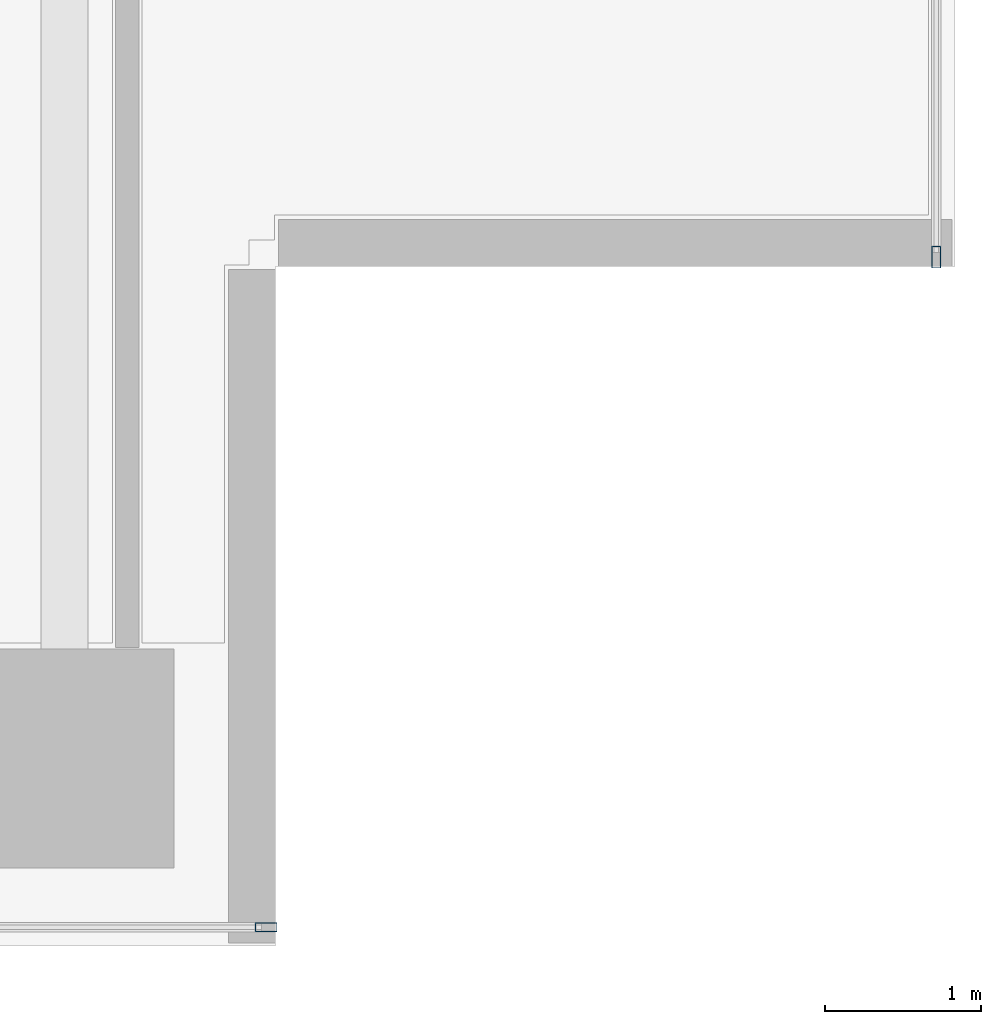
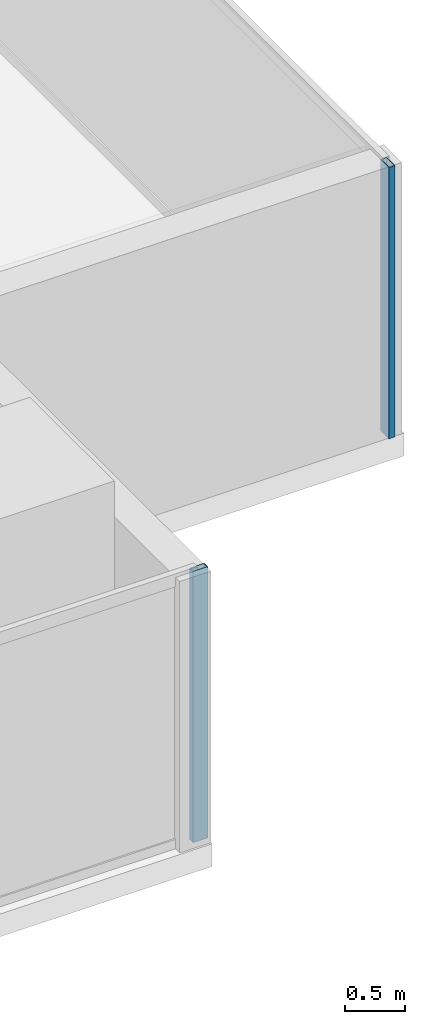
# One storey, part 11 of 25: 2 members, 2 elements without a shape of their own.
"""IFC4 building model written with IfcOpenShell, lengths in metres."""

from ifc_helpers import new_model, si_unit, direction, frame, origin, origin_2d, place, context, subcontext, project, spatial, hollow_rectangle, extrude, source, transform, mapped, material, layer, layer_set, material_profile, profile_set, type_object, element, aggregate, save


model = new_model("IFC4")

# Units and contexts
model_context = context("Model", 3, precision=1e-05, world=origin(), true_north=direction((0.0, 1.0)))
body_context = subcontext(model_context, "Body", "Model", "MODEL_VIEW")
ifc_project = project(units=[si_unit("LENGTHUNIT", "METRE"), si_unit("AREAUNIT", "SQUARE_METRE"), si_unit("VOLUMEUNIT", "CUBIC_METRE"), si_unit("PLANEANGLEUNIT", "RADIAN"), si_unit("MASSUNIT", "GRAM", prefix="KILO")], contexts=[model_context])

# Site, building, storey
site_placement = place(None, origin())
site = spatial("IfcSite", under=ifc_project, at=site_placement, CompositionType="ELEMENT")
building_placement = place(site_placement, origin())
building = spatial("IfcBuilding", under=site, at=building_placement, Name="Sumidabori Civic Tower", CompositionType="ELEMENT")
storey_placement = place(building_placement, frame((0.0, 0.0, 246.800048828125)))
storey = spatial("IfcBuildingStorey", under=building, at=storey_placement, Name="L64", CompositionType="ELEMENT", Elevation=246.800048828125)

# Curtain wall, member
ifc_material = material(Name="Anodised Bronze Aluminium AW-6063-T6", Category="aluminium")
ifc_layer = layer(ifc_material, 0.179931640625, Name="Anodised Bronze Aluminium AW-6063-T6")
ifc_layer_set = layer_set([ifc_layer], Name="Anodised Bronze Aluminium AW-6063-T6")
curtain_wall_type = type_object("IfcCurtainWallType", Name="CW-SYS-5", PredefinedType="NOTDEFINED", material=ifc_layer_set)
curtain_wall_1_placement = place(storey_placement, origin())
curtain_wall_1 = element("IfcCurtainWall", 1, at=curtain_wall_1_placement, inside=storey, type_object=curtain_wall_type, Name="Curtain Wall CW:L64:R01", PredefinedType="NOTDEFINED")
ifc_material_profile = material_profile(ifc_material, hollow_rectangle(XDim=0.06005859375, YDim=0.139892578125, WallThickness=0.0048828125, at=origin_2d()), Name="ALU MULLION 140x60")
ifc_profile_set = profile_set([ifc_material_profile], Name="Anodised Bronze Aluminium AW-6063-T6")
member_type = type_object("IfcMemberType", Name="CW-MUL-140", PredefinedType="MULLION", material=ifc_profile_set)
shared_shape = source(origin(), body_context, "Body", "SweptSolid", [
    extrude(hollow_rectangle(XDim=0.06005859375, YDim=0.139892578125, WallThickness=0.0048828125, at=origin_2d()), origin(), (0.0, 0.0, 1.0), 2.75),
])
member_1_placement = place(storey_placement, frame((18.090087890625, -11.8798828125, 0.0), z_axis=(0.0, 0.0, 1.0), x_axis=(0.0, 1.0, 0.0)))
member_1 = element("IfcMember", 2, at=member_1_placement, type_object=member_type, Name="CW-5 mullion 5", PredefinedType="MULLION", context=body_context, shape_type="MappedRepresentation", body=[
    mapped(shared_shape, transform((0.0, 0.0, 0.0), x_axis=(1.0, 0.0, 0.0), y_axis=(0.0, 1.0, 0.0), z_axis=(0.0, 0.0, 1.0), scale=1.0)),
])
aggregate(curtain_wall_1, [member_1])

curtain_wall_2_placement = place(storey_placement, origin())
curtain_wall_2 = element("IfcCurtainWall", 3, at=curtain_wall_2_placement, inside=storey, type_object=curtain_wall_type, Name="Curtain Wall CW:L64:R04", PredefinedType="NOTDEFINED")
member_2_placement = place(storey_placement, frame((22.3798828125, -7.590087890625, 0.0), z_axis=(0.0, 0.0, 1.0), x_axis=(-1.0, 0.0, 0.0)))
member_2 = element("IfcMember", 4, at=member_2_placement, type_object=member_type, Name="CW-5 mullion 1", PredefinedType="MULLION", context=body_context, shape_type="MappedRepresentation", body=[
    mapped(shared_shape, transform((0.0, 0.0, 0.0), x_axis=(1.0, 0.0, 0.0), y_axis=(0.0, 1.0, 0.0), z_axis=(0.0, 0.0, 1.0), scale=1.0)),
])
aggregate(curtain_wall_2, [member_2])

save(model, "model.ifc")
